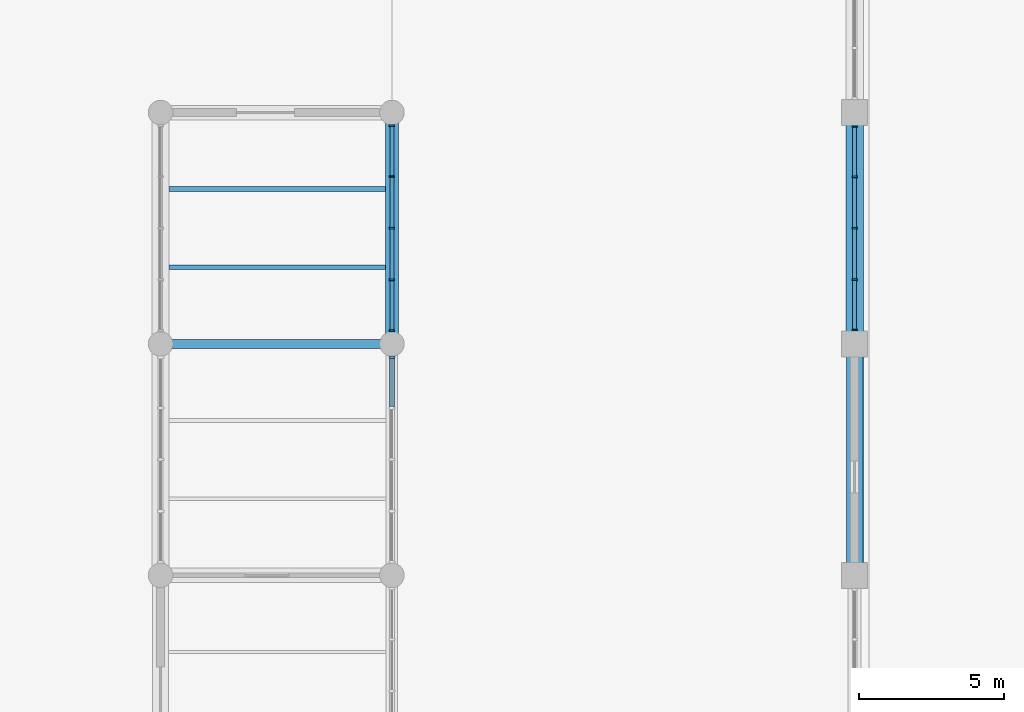
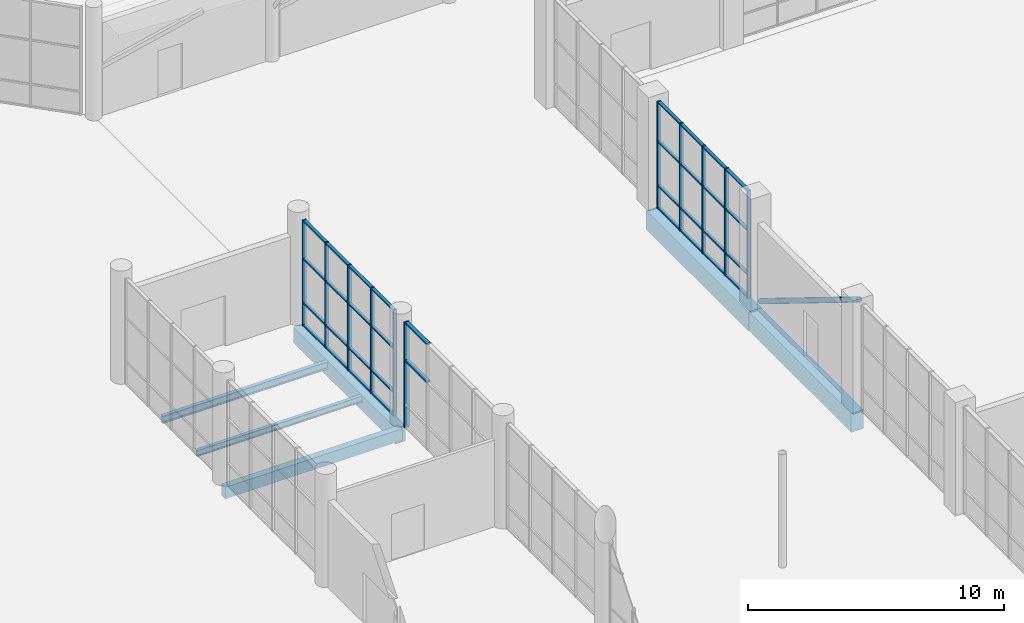
# One storey, part 33 of 123: 46 members, 6 beams, 3 elements without a shape of their own.
"""IFC4 building model written with IfcOpenShell, lengths in metres."""

from ifc_helpers import new_model, si_unit, direction, frame, origin, origin_2d, place, context, subcontext, project, spatial, rectangle, hollow_circle, i_section, extrude, material, material_profile, profile_set, type_object, element, aggregate, save


model = new_model("IFC4")

# Units and contexts
model_context = context("Model", 3, precision=1e-05, world=origin(), true_north=direction((0.0, 1.0)))
body_context = subcontext(model_context, "Body", "Model", "MODEL_VIEW")
ifc_project = project(units=[si_unit("LENGTHUNIT", "METRE"), si_unit("AREAUNIT", "SQUARE_METRE"), si_unit("VOLUMEUNIT", "CUBIC_METRE"), si_unit("PLANEANGLEUNIT", "RADIAN"), si_unit("MASSUNIT", "GRAM", prefix="KILO")], contexts=[model_context])

# Site, building, storey
site_placement = place(None, origin())
site = spatial("IfcSite", under=ifc_project, at=site_placement, CompositionType="ELEMENT")
building_placement = place(site_placement, origin())
building = spatial("IfcBuilding", under=site, at=building_placement, Name="Tenunan Teduh Sports Hall", CompositionType="ELEMENT")
storey_placement = place(building_placement, origin())
storey = spatial("IfcBuildingStorey", under=building, at=storey_placement, Name="L00", CompositionType="ELEMENT", Elevation=0.0)

# Beams
ifc_material_1 = material(Name="Concrete C40/50", Category="concrete")
ifc_material_profile_1 = material_profile(ifc_material_1, rectangle(XDim=0.300048828125, YDim=0.550048828125, at=origin_2d()), Name="RCB 300x550")
ifc_profile_set_1 = profile_set([ifc_material_profile_1], Name="Concrete C40/50")
beam_type_1 = type_object("IfcBeamType", Name="BM-RC-300x550", PredefinedType="BEAM", material=ifc_profile_set_1)
beam_1_placement = place(storey_placement, frame((98.0, 62.0, -0.554931640625), z_axis=(1.0, 0.0, 0.0), x_axis=(0.0, 1.0, 0.0)))
element("IfcBeam", 1, at=beam_1_placement, inside=storey, type_object=beam_type_1, Name="BM-B-02-L00-0669", PredefinedType="BEAM", context=body_context, shape_type="SweptSolid", body=[
    extrude(rectangle(XDim=0.300048828125, YDim=0.550048828125, at=origin_2d()), origin(), (0.0, 0.0, 1.0), 8.0),
])
ifc_material_2 = material(Name="Concrete C40/50", Category="concrete")
ifc_material_profile_2 = material_profile(ifc_material_2, rectangle(XDim=0.449951171875, YDim=0.75, at=origin_2d()), Name="RCB 450x750")
ifc_profile_set_2 = profile_set([ifc_material_profile_2], Name="Concrete C40/50")
beam_type_2 = type_object("IfcBeamType", Name="BM-RC-450x750", PredefinedType="BEAM", material=ifc_profile_set_2)
beam_2_placement = place(storey_placement, frame((106.0, 62.0, -0.655029296875), z_axis=(0.0, 1.0, 0.0), x_axis=(-1.0, 0.0, 0.0)))
element("IfcBeam", 2, at=beam_2_placement, inside=storey, type_object=beam_type_2, Name="BM-B-11-L00-0837", PredefinedType="BEAM", context=body_context, shape_type="SweptSolid", body=[
    extrude(rectangle(XDim=0.449951171875, YDim=0.75, at=origin_2d()), origin(), (0.0, 0.0, 1.0), 8.0),
])
ifc_material_3 = material(Name="Concrete C40/50", Category="concrete")
ifc_material_profile_3 = material_profile(ifc_material_3, rectangle(XDim=0.550048828125, YDim=0.89990234375, at=origin_2d()), Name="RCB 550x900")
ifc_profile_set_3 = profile_set([ifc_material_profile_3], Name="Concrete C40/50")
beam_type_3 = type_object("IfcBeamType", Name="BM-RC-550x900", PredefinedType="BEAM", material=ifc_profile_set_3)
beam_3_placement = place(storey_placement, frame((122.0, 54.0, -0.75), z_axis=(0.0, 1.0, 0.0), x_axis=(-1.0, 0.0, 0.0)))
element("IfcBeam", 3, at=beam_3_placement, inside=storey, type_object=beam_type_3, Name="BM-B-16-L00-0851", PredefinedType="BEAM", context=body_context, shape_type="SweptSolid", body=[
    extrude(rectangle(XDim=0.550048828125, YDim=0.89990234375, at=origin_2d()), origin(), (0.0, 0.0, 1.0), 8.0),
])
ifc_material_4 = material(Name="Concrete C40/50", Category="concrete")
ifc_material_profile_4 = material_profile(ifc_material_4, rectangle(XDim=0.60009765625, YDim=0.89990234375, at=origin_2d()), Name="RCB 600x900")
ifc_profile_set_4 = profile_set([ifc_material_profile_4], Name="Concrete C40/50")
beam_type_4 = type_object("IfcBeamType", Name="BM-RC-600x900", PredefinedType="BEAM", material=ifc_profile_set_4)
beam_4_placement = place(storey_placement, frame((122.0, 62.0, -0.75), z_axis=(0.0, 1.0, 0.0), x_axis=(-1.0, 0.0, 0.0)))
element("IfcBeam", 4, at=beam_4_placement, inside=storey, type_object=beam_type_4, Name="BM-B-17-L00-0852", PredefinedType="BEAM", context=body_context, shape_type="SweptSolid", body=[
    extrude(rectangle(XDim=0.60009765625, YDim=0.89990234375, at=origin_2d()), origin(), (0.0, 0.0, 1.0), 8.0),
])

# Curtain wall, members
ifc_material_5 = material(Name="Anodised aluminium", Category="aluminium")
curtain_wall_type = type_object("IfcCurtainWallType", Name="CW-UNIT-1", PredefinedType="NOTDEFINED", material=ifc_material_5)
curtain_wall_1_placement = place(storey_placement, origin())
curtain_wall_1 = element("IfcCurtainWall", 5, at=curtain_wall_1_placement, inside=storey, type_object=curtain_wall_type, Name="CW-CWM-175-L00-114", PredefinedType="NOTDEFINED")
ifc_material_6 = material(Name="Anodised aluminium", Category="aluminium")
ifc_material_profile_5 = material_profile(ifc_material_6, rectangle(XDim=0.06494140625, YDim=0.175048828125, at=origin_2d()), Name="CWM 65x175")
ifc_profile_set_5 = profile_set([ifc_material_profile_5], Name="Anodised aluminium")
member_type_1 = type_object("IfcMemberType", Name="CWM-175", PredefinedType="MULLION", material=ifc_profile_set_5)
member_1_placement = place(storey_placement, frame((122.0, 62.482421875, 0.0), z_axis=(0.0, 0.0, 1.0), x_axis=(0.0, 1.0, 0.0)))
member_1 = element("IfcMember", 6, at=member_1_placement, type_object=member_type_1, Name="CW-01 mullion 1", PredefinedType="MULLION", context=body_context, shape_type="SweptSolid", body=[
    extrude(rectangle(XDim=0.06494140625, YDim=0.175048828125, at=origin_2d()), origin(), (0.0, 0.0, 1.0), 5.1201171875),
])
member_2_placement = place(storey_placement, frame((122.0, 64.22509765625, 0.0), z_axis=(0.0, 0.0, 1.0), x_axis=(0.0, 1.0, 0.0)))
member_2 = element("IfcMember", 7, at=member_2_placement, type_object=member_type_1, Name="CW-01 mullion 2", PredefinedType="MULLION", context=body_context, shape_type="SweptSolid", body=[
    extrude(rectangle(XDim=0.06494140625, YDim=0.175048828125, at=origin_2d()), origin(), (0.0, 0.0, 1.0), 5.1201171875),
])
member_3_placement = place(storey_placement, frame((122.0, 66.0, 0.0), z_axis=(0.0, 0.0, 1.0), x_axis=(0.0, 1.0, 0.0)))
member_3 = element("IfcMember", 8, at=member_3_placement, type_object=member_type_1, Name="CW-01 mullion 3", PredefinedType="MULLION", context=body_context, shape_type="SweptSolid", body=[
    extrude(rectangle(XDim=0.06494140625, YDim=0.175048828125, at=origin_2d()), origin(), (0.0, 0.0, 1.0), 5.1201171875),
])
member_4_placement = place(storey_placement, frame((122.0, 67.77490234375, 0.0), z_axis=(0.0, 0.0, 1.0), x_axis=(0.0, 1.0, 0.0)))
member_4 = element("IfcMember", 9, at=member_4_placement, type_object=member_type_1, Name="CW-01 mullion 4", PredefinedType="MULLION", context=body_context, shape_type="SweptSolid", body=[
    extrude(rectangle(XDim=0.06494140625, YDim=0.175048828125, at=origin_2d()), origin(), (0.0, 0.0, 1.0), 5.1201171875),
])
member_5_placement = place(storey_placement, frame((122.0, 69.517578125, 0.0), z_axis=(0.0, 0.0, 1.0), x_axis=(0.0, 1.0, 0.0)))
member_5 = element("IfcMember", 10, at=member_5_placement, type_object=member_type_1, Name="CW-01 mullion 5", PredefinedType="MULLION", context=body_context, shape_type="SweptSolid", body=[
    extrude(rectangle(XDim=0.06494140625, YDim=0.175048828125, at=origin_2d()), origin(), (0.0, 0.0, 1.0), 5.1201171875),
])

curtain_wall_2_placement = place(storey_placement, origin())
curtain_wall_2 = element("IfcCurtainWall", 11, at=curtain_wall_2_placement, inside=storey, type_object=curtain_wall_type, Name="CW-CWM-175-L00-162", PredefinedType="NOTDEFINED")
member_6_placement = place(storey_placement, frame((106.0, 62.45751953125, 0.0), z_axis=(0.0, 0.0, 1.0), x_axis=(0.0, 1.0, 0.0)))
member_6 = element("IfcMember", 12, at=member_6_placement, type_object=member_type_1, Name="CW-01 mullion 1", PredefinedType="MULLION", context=body_context, shape_type="SweptSolid", body=[
    extrude(rectangle(XDim=0.06494140625, YDim=0.175048828125, at=origin_2d()), origin(), (0.0, 0.0, 1.0), 5.0400390625),
])
member_7_placement = place(storey_placement, frame((106.0, 64.21240234375, 0.0), z_axis=(0.0, 0.0, 1.0), x_axis=(0.0, 1.0, 0.0)))
member_7 = element("IfcMember", 13, at=member_7_placement, type_object=member_type_1, Name="CW-01 mullion 2", PredefinedType="MULLION", context=body_context, shape_type="SweptSolid", body=[
    extrude(rectangle(XDim=0.06494140625, YDim=0.175048828125, at=origin_2d()), origin(), (0.0, 0.0, 1.0), 5.0400390625),
])
member_8_placement = place(storey_placement, frame((106.0, 66.0, 0.0), z_axis=(0.0, 0.0, 1.0), x_axis=(0.0, 1.0, 0.0)))
member_8 = element("IfcMember", 14, at=member_8_placement, type_object=member_type_1, Name="CW-01 mullion 3", PredefinedType="MULLION", context=body_context, shape_type="SweptSolid", body=[
    extrude(rectangle(XDim=0.06494140625, YDim=0.175048828125, at=origin_2d()), origin(), (0.0, 0.0, 1.0), 5.0400390625),
])
member_9_placement = place(storey_placement, frame((106.0, 67.78759765625, 0.0), z_axis=(0.0, 0.0, 1.0), x_axis=(0.0, 1.0, 0.0)))
member_9 = element("IfcMember", 15, at=member_9_placement, type_object=member_type_1, Name="CW-01 mullion 4", PredefinedType="MULLION", context=body_context, shape_type="SweptSolid", body=[
    extrude(rectangle(XDim=0.06494140625, YDim=0.175048828125, at=origin_2d()), origin(), (0.0, 0.0, 1.0), 5.0400390625),
])
member_10_placement = place(storey_placement, frame((106.0, 69.54248046875, 0.0), z_axis=(0.0, 0.0, 1.0), x_axis=(0.0, 1.0, 0.0)))
member_10 = element("IfcMember", 16, at=member_10_placement, type_object=member_type_1, Name="CW-01 mullion 5", PredefinedType="MULLION", context=body_context, shape_type="SweptSolid", body=[
    extrude(rectangle(XDim=0.06494140625, YDim=0.175048828125, at=origin_2d()), origin(), (0.0, 0.0, 1.0), 5.0400390625),
])

# Curtain wall, member
curtain_wall_3_placement = place(storey_placement, origin())
curtain_wall_3 = element("IfcCurtainWall", 17, at=curtain_wall_3_placement, inside=storey, type_object=curtain_wall_type, Name="CW-CWM-220-L00-161", PredefinedType="NOTDEFINED")
ifc_material_7 = material(Name="Anodised aluminium", Category="aluminium")
ifc_material_profile_6 = material_profile(ifc_material_7, rectangle(XDim=0.074951171875, YDim=0.219970703125, at=origin_2d()), Name="CWM 75x220")
ifc_profile_set_6 = profile_set([ifc_material_profile_6], Name="Anodised aluminium")
member_type_2 = type_object("IfcMemberType", Name="CWM-220", PredefinedType="MULLION", material=ifc_profile_set_6)
member_11_placement = place(storey_placement, frame((106.0, 61.53759765625, 0.0), z_axis=(0.0, 0.0, 1.0), x_axis=(0.0, 1.0, 0.0)))
member_11 = element("IfcMember", 18, at=member_11_placement, type_object=member_type_2, Name="CW-01 mullion 5", PredefinedType="MULLION", context=body_context, shape_type="SweptSolid", body=[
    extrude(rectangle(XDim=0.074951171875, YDim=0.219970703125, at=origin_2d()), origin(), (0.0, 0.0, 1.0), 5.0400390625),
])

# Member
ifc_material_8 = material(Name="Anodised aluminium", Category="aluminium")
ifc_material_profile_7 = material_profile(ifc_material_8, rectangle(XDim=0.06494140625, YDim=0.139892578125, at=origin_2d()), Name="CWT 65x140")
ifc_profile_set_7 = profile_set([ifc_material_profile_7], Name="Anodised aluminium")
member_type_3 = type_object("IfcMemberType", Name="CWT-150", PredefinedType="USERDEFINED", material=ifc_profile_set_7)
member_12_placement = place(storey_placement, frame((122.0, 62.514892578125, 0.032470703125), z_axis=(0.0, 1.0, 0.0), x_axis=(0.0, 0.0, 1.0)))
member_12 = element("IfcMember", 19, at=member_12_placement, type_object=member_type_3, Name="CW-01 transom 1.1", ObjectType="TRANSOM", PredefinedType="USERDEFINED", context=body_context, shape_type="SweptSolid", body=[
    extrude(rectangle(XDim=0.06494140625, YDim=0.139892578125, at=origin_2d()), origin(), (0.0, 0.0, 1.0), 1.677490234375),
])

member_13_placement = place(storey_placement, frame((122.0, 62.514892578125, 1.10009765625), z_axis=(0.0, 1.0, 0.0), x_axis=(0.0, 0.0, 1.0)))
member_13 = element("IfcMember", 20, at=member_13_placement, type_object=member_type_3, Name="CW-01 transom 1.2", ObjectType="TRANSOM", PredefinedType="USERDEFINED", context=body_context, shape_type="SweptSolid", body=[
    extrude(rectangle(XDim=0.06494140625, YDim=0.139892578125, at=origin_2d()), origin(), (0.0, 0.0, 1.0), 1.677490234375),
])

member_14_placement = place(storey_placement, frame((122.0, 62.514892578125, 3.199951171875), z_axis=(0.0, 1.0, 0.0), x_axis=(0.0, 0.0, 1.0)))
member_14 = element("IfcMember", 21, at=member_14_placement, type_object=member_type_3, Name="CW-01 transom 1.3", ObjectType="TRANSOM", PredefinedType="USERDEFINED", context=body_context, shape_type="SweptSolid", body=[
    extrude(rectangle(XDim=0.06494140625, YDim=0.139892578125, at=origin_2d()), origin(), (0.0, 0.0, 1.0), 1.677490234375),
])

member_15_placement = place(storey_placement, frame((122.0, 62.514892578125, 5.08740234375), z_axis=(0.0, 1.0, 0.0), x_axis=(0.0, 0.0, 1.0)))
member_15 = element("IfcMember", 22, at=member_15_placement, type_object=member_type_3, Name="CW-01 transom 1.4", ObjectType="TRANSOM", PredefinedType="USERDEFINED", context=body_context, shape_type="SweptSolid", body=[
    extrude(rectangle(XDim=0.06494140625, YDim=0.139892578125, at=origin_2d()), origin(), (0.0, 0.0, 1.0), 1.677490234375),
])

member_16_placement = place(storey_placement, frame((122.0, 64.257568359375, 0.032470703125), z_axis=(0.0, 1.0, 0.0), x_axis=(0.0, 0.0, 1.0)))
member_16 = element("IfcMember", 23, at=member_16_placement, type_object=member_type_3, Name="CW-01 transom 2.1", ObjectType="TRANSOM", PredefinedType="USERDEFINED", context=body_context, shape_type="SweptSolid", body=[
    extrude(rectangle(XDim=0.06494140625, YDim=0.139892578125, at=origin_2d()), origin(), (0.0, 0.0, 1.0), 1.7099609375),
])

member_17_placement = place(storey_placement, frame((122.0, 64.257568359375, 1.10009765625), z_axis=(0.0, 1.0, 0.0), x_axis=(0.0, 0.0, 1.0)))
member_17 = element("IfcMember", 24, at=member_17_placement, type_object=member_type_3, Name="CW-01 transom 2.2", ObjectType="TRANSOM", PredefinedType="USERDEFINED", context=body_context, shape_type="SweptSolid", body=[
    extrude(rectangle(XDim=0.06494140625, YDim=0.139892578125, at=origin_2d()), origin(), (0.0, 0.0, 1.0), 1.7099609375),
])

member_18_placement = place(storey_placement, frame((122.0, 64.257568359375, 3.199951171875), z_axis=(0.0, 1.0, 0.0), x_axis=(0.0, 0.0, 1.0)))
member_18 = element("IfcMember", 25, at=member_18_placement, type_object=member_type_3, Name="CW-01 transom 2.3", ObjectType="TRANSOM", PredefinedType="USERDEFINED", context=body_context, shape_type="SweptSolid", body=[
    extrude(rectangle(XDim=0.06494140625, YDim=0.139892578125, at=origin_2d()), origin(), (0.0, 0.0, 1.0), 1.7099609375),
])

member_19_placement = place(storey_placement, frame((122.0, 64.257568359375, 5.08740234375), z_axis=(0.0, 1.0, 0.0), x_axis=(0.0, 0.0, 1.0)))
member_19 = element("IfcMember", 26, at=member_19_placement, type_object=member_type_3, Name="CW-01 transom 2.4", ObjectType="TRANSOM", PredefinedType="USERDEFINED", context=body_context, shape_type="SweptSolid", body=[
    extrude(rectangle(XDim=0.06494140625, YDim=0.139892578125, at=origin_2d()), origin(), (0.0, 0.0, 1.0), 1.7099609375),
])

member_20_placement = place(storey_placement, frame((122.0, 66.032470703125, 0.032470703125), z_axis=(0.0, 1.0, 0.0), x_axis=(0.0, 0.0, 1.0)))
member_20 = element("IfcMember", 27, at=member_20_placement, type_object=member_type_3, Name="CW-01 transom 3.1", ObjectType="TRANSOM", PredefinedType="USERDEFINED", context=body_context, shape_type="SweptSolid", body=[
    extrude(rectangle(XDim=0.06494140625, YDim=0.139892578125, at=origin_2d()), origin(), (0.0, 0.0, 1.0), 1.7099609375),
])

member_21_placement = place(storey_placement, frame((122.0, 66.032470703125, 1.10009765625), z_axis=(0.0, 1.0, 0.0), x_axis=(0.0, 0.0, 1.0)))
member_21 = element("IfcMember", 28, at=member_21_placement, type_object=member_type_3, Name="CW-01 transom 3.2", ObjectType="TRANSOM", PredefinedType="USERDEFINED", context=body_context, shape_type="SweptSolid", body=[
    extrude(rectangle(XDim=0.06494140625, YDim=0.139892578125, at=origin_2d()), origin(), (0.0, 0.0, 1.0), 1.7099609375),
])

member_22_placement = place(storey_placement, frame((122.0, 66.032470703125, 3.199951171875), z_axis=(0.0, 1.0, 0.0), x_axis=(0.0, 0.0, 1.0)))
member_22 = element("IfcMember", 29, at=member_22_placement, type_object=member_type_3, Name="CW-01 transom 3.3", ObjectType="TRANSOM", PredefinedType="USERDEFINED", context=body_context, shape_type="SweptSolid", body=[
    extrude(rectangle(XDim=0.06494140625, YDim=0.139892578125, at=origin_2d()), origin(), (0.0, 0.0, 1.0), 1.7099609375),
])

member_23_placement = place(storey_placement, frame((122.0, 66.032470703125, 5.08740234375), z_axis=(0.0, 1.0, 0.0), x_axis=(0.0, 0.0, 1.0)))
member_23 = element("IfcMember", 30, at=member_23_placement, type_object=member_type_3, Name="CW-01 transom 3.4", ObjectType="TRANSOM", PredefinedType="USERDEFINED", context=body_context, shape_type="SweptSolid", body=[
    extrude(rectangle(XDim=0.06494140625, YDim=0.139892578125, at=origin_2d()), origin(), (0.0, 0.0, 1.0), 1.7099609375),
])

member_24_placement = place(storey_placement, frame((122.0, 67.8076171875, 0.032470703125), z_axis=(0.0, 1.0, 0.0), x_axis=(0.0, 0.0, 1.0)))
member_24 = element("IfcMember", 31, at=member_24_placement, type_object=member_type_3, Name="CW-01 transom 4.1", ObjectType="TRANSOM", PredefinedType="USERDEFINED", context=body_context, shape_type="SweptSolid", body=[
    extrude(rectangle(XDim=0.06494140625, YDim=0.139892578125, at=origin_2d()), origin(), (0.0, 0.0, 1.0), 1.677490234375),
])

member_25_placement = place(storey_placement, frame((122.0, 67.8076171875, 1.10009765625), z_axis=(0.0, 1.0, 0.0), x_axis=(0.0, 0.0, 1.0)))
member_25 = element("IfcMember", 32, at=member_25_placement, type_object=member_type_3, Name="CW-01 transom 4.2", ObjectType="TRANSOM", PredefinedType="USERDEFINED", context=body_context, shape_type="SweptSolid", body=[
    extrude(rectangle(XDim=0.06494140625, YDim=0.139892578125, at=origin_2d()), origin(), (0.0, 0.0, 1.0), 1.677490234375),
])

member_26_placement = place(storey_placement, frame((122.0, 67.8076171875, 3.199951171875), z_axis=(0.0, 1.0, 0.0), x_axis=(0.0, 0.0, 1.0)))
member_26 = element("IfcMember", 33, at=member_26_placement, type_object=member_type_3, Name="CW-01 transom 4.3", ObjectType="TRANSOM", PredefinedType="USERDEFINED", context=body_context, shape_type="SweptSolid", body=[
    extrude(rectangle(XDim=0.06494140625, YDim=0.139892578125, at=origin_2d()), origin(), (0.0, 0.0, 1.0), 1.677490234375),
])

member_27_placement = place(storey_placement, frame((122.0, 67.8076171875, 5.08740234375), z_axis=(0.0, 1.0, 0.0), x_axis=(0.0, 0.0, 1.0)))
member_27 = element("IfcMember", 34, at=member_27_placement, type_object=member_type_3, Name="CW-01 transom 4.4", ObjectType="TRANSOM", PredefinedType="USERDEFINED", context=body_context, shape_type="SweptSolid", body=[
    extrude(rectangle(XDim=0.06494140625, YDim=0.139892578125, at=origin_2d()), origin(), (0.0, 0.0, 1.0), 1.677490234375),
])

aggregate(curtain_wall_1, [member_1, member_2, member_3, member_4, member_5, member_12, member_13, member_14, member_15, member_16, member_17, member_18, member_19, member_20, member_21, member_22, member_23, member_24, member_25, member_26, member_27])

member_28_placement = place(storey_placement, frame((106.0, 62.489990234375, 0.032470703125), z_axis=(0.0, 1.0, 0.0), x_axis=(0.0, 0.0, 1.0)))
member_28 = element("IfcMember", 35, at=member_28_placement, type_object=member_type_3, Name="CW-01 transom 1.1", ObjectType="TRANSOM", PredefinedType="USERDEFINED", context=body_context, shape_type="SweptSolid", body=[
    extrude(rectangle(XDim=0.06494140625, YDim=0.139892578125, at=origin_2d()), origin(), (0.0, 0.0, 1.0), 1.68994140625),
])

member_29_placement = place(storey_placement, frame((106.0, 62.489990234375, 1.10009765625), z_axis=(0.0, 1.0, 0.0), x_axis=(0.0, 0.0, 1.0)))
member_29 = element("IfcMember", 36, at=member_29_placement, type_object=member_type_3, Name="CW-01 transom 1.2", ObjectType="TRANSOM", PredefinedType="USERDEFINED", context=body_context, shape_type="SweptSolid", body=[
    extrude(rectangle(XDim=0.06494140625, YDim=0.139892578125, at=origin_2d()), origin(), (0.0, 0.0, 1.0), 1.68994140625),
])

member_30_placement = place(storey_placement, frame((106.0, 62.489990234375, 3.199951171875), z_axis=(0.0, 1.0, 0.0), x_axis=(0.0, 0.0, 1.0)))
member_30 = element("IfcMember", 37, at=member_30_placement, type_object=member_type_3, Name="CW-01 transom 1.3", ObjectType="TRANSOM", PredefinedType="USERDEFINED", context=body_context, shape_type="SweptSolid", body=[
    extrude(rectangle(XDim=0.06494140625, YDim=0.139892578125, at=origin_2d()), origin(), (0.0, 0.0, 1.0), 1.68994140625),
])

member_31_placement = place(storey_placement, frame((106.0, 62.489990234375, 5.007568359375), z_axis=(0.0, 1.0, 0.0), x_axis=(0.0, 0.0, 1.0)))
member_31 = element("IfcMember", 38, at=member_31_placement, type_object=member_type_3, Name="CW-01 transom 1.4", ObjectType="TRANSOM", PredefinedType="USERDEFINED", context=body_context, shape_type="SweptSolid", body=[
    extrude(rectangle(XDim=0.06494140625, YDim=0.139892578125, at=origin_2d()), origin(), (0.0, 0.0, 1.0), 1.68994140625),
])

member_32_placement = place(storey_placement, frame((106.0, 64.2451171875, 0.032470703125), z_axis=(0.0, 1.0, 0.0), x_axis=(0.0, 0.0, 1.0)))
member_32 = element("IfcMember", 39, at=member_32_placement, type_object=member_type_3, Name="CW-01 transom 2.1", ObjectType="TRANSOM", PredefinedType="USERDEFINED", context=body_context, shape_type="SweptSolid", body=[
    extrude(rectangle(XDim=0.06494140625, YDim=0.139892578125, at=origin_2d()), origin(), (0.0, 0.0, 1.0), 1.722412109375),
])

member_33_placement = place(storey_placement, frame((106.0, 64.2451171875, 1.10009765625), z_axis=(0.0, 1.0, 0.0), x_axis=(0.0, 0.0, 1.0)))
member_33 = element("IfcMember", 40, at=member_33_placement, type_object=member_type_3, Name="CW-01 transom 2.2", ObjectType="TRANSOM", PredefinedType="USERDEFINED", context=body_context, shape_type="SweptSolid", body=[
    extrude(rectangle(XDim=0.06494140625, YDim=0.139892578125, at=origin_2d()), origin(), (0.0, 0.0, 1.0), 1.722412109375),
])

member_34_placement = place(storey_placement, frame((106.0, 64.2451171875, 3.199951171875), z_axis=(0.0, 1.0, 0.0), x_axis=(0.0, 0.0, 1.0)))
member_34 = element("IfcMember", 41, at=member_34_placement, type_object=member_type_3, Name="CW-01 transom 2.3", ObjectType="TRANSOM", PredefinedType="USERDEFINED", context=body_context, shape_type="SweptSolid", body=[
    extrude(rectangle(XDim=0.06494140625, YDim=0.139892578125, at=origin_2d()), origin(), (0.0, 0.0, 1.0), 1.722412109375),
])

member_35_placement = place(storey_placement, frame((106.0, 64.2451171875, 5.007568359375), z_axis=(0.0, 1.0, 0.0), x_axis=(0.0, 0.0, 1.0)))
member_35 = element("IfcMember", 42, at=member_35_placement, type_object=member_type_3, Name="CW-01 transom 2.4", ObjectType="TRANSOM", PredefinedType="USERDEFINED", context=body_context, shape_type="SweptSolid", body=[
    extrude(rectangle(XDim=0.06494140625, YDim=0.139892578125, at=origin_2d()), origin(), (0.0, 0.0, 1.0), 1.722412109375),
])

member_36_placement = place(storey_placement, frame((106.0, 66.032470703125, 0.032470703125), z_axis=(0.0, 1.0, 0.0), x_axis=(0.0, 0.0, 1.0)))
member_36 = element("IfcMember", 43, at=member_36_placement, type_object=member_type_3, Name="CW-01 transom 3.1", ObjectType="TRANSOM", PredefinedType="USERDEFINED", context=body_context, shape_type="SweptSolid", body=[
    extrude(rectangle(XDim=0.06494140625, YDim=0.139892578125, at=origin_2d()), origin(), (0.0, 0.0, 1.0), 1.722412109375),
])

member_37_placement = place(storey_placement, frame((106.0, 66.032470703125, 1.10009765625), z_axis=(0.0, 1.0, 0.0), x_axis=(0.0, 0.0, 1.0)))
member_37 = element("IfcMember", 44, at=member_37_placement, type_object=member_type_3, Name="CW-01 transom 3.2", ObjectType="TRANSOM", PredefinedType="USERDEFINED", context=body_context, shape_type="SweptSolid", body=[
    extrude(rectangle(XDim=0.06494140625, YDim=0.139892578125, at=origin_2d()), origin(), (0.0, 0.0, 1.0), 1.722412109375),
])

member_38_placement = place(storey_placement, frame((106.0, 66.032470703125, 3.199951171875), z_axis=(0.0, 1.0, 0.0), x_axis=(0.0, 0.0, 1.0)))
member_38 = element("IfcMember", 45, at=member_38_placement, type_object=member_type_3, Name="CW-01 transom 3.3", ObjectType="TRANSOM", PredefinedType="USERDEFINED", context=body_context, shape_type="SweptSolid", body=[
    extrude(rectangle(XDim=0.06494140625, YDim=0.139892578125, at=origin_2d()), origin(), (0.0, 0.0, 1.0), 1.722412109375),
])

member_39_placement = place(storey_placement, frame((106.0, 66.032470703125, 5.007568359375), z_axis=(0.0, 1.0, 0.0), x_axis=(0.0, 0.0, 1.0)))
member_39 = element("IfcMember", 46, at=member_39_placement, type_object=member_type_3, Name="CW-01 transom 3.4", ObjectType="TRANSOM", PredefinedType="USERDEFINED", context=body_context, shape_type="SweptSolid", body=[
    extrude(rectangle(XDim=0.06494140625, YDim=0.139892578125, at=origin_2d()), origin(), (0.0, 0.0, 1.0), 1.722412109375),
])

member_40_placement = place(storey_placement, frame((106.0, 67.820068359375, 0.032470703125), z_axis=(0.0, 1.0, 0.0), x_axis=(0.0, 0.0, 1.0)))
member_40 = element("IfcMember", 47, at=member_40_placement, type_object=member_type_3, Name="CW-01 transom 4.1", ObjectType="TRANSOM", PredefinedType="USERDEFINED", context=body_context, shape_type="SweptSolid", body=[
    extrude(rectangle(XDim=0.06494140625, YDim=0.139892578125, at=origin_2d()), origin(), (0.0, 0.0, 1.0), 1.68994140625),
])

member_41_placement = place(storey_placement, frame((106.0, 67.820068359375, 1.10009765625), z_axis=(0.0, 1.0, 0.0), x_axis=(0.0, 0.0, 1.0)))
member_41 = element("IfcMember", 48, at=member_41_placement, type_object=member_type_3, Name="CW-01 transom 4.2", ObjectType="TRANSOM", PredefinedType="USERDEFINED", context=body_context, shape_type="SweptSolid", body=[
    extrude(rectangle(XDim=0.06494140625, YDim=0.139892578125, at=origin_2d()), origin(), (0.0, 0.0, 1.0), 1.68994140625),
])

member_42_placement = place(storey_placement, frame((106.0, 67.820068359375, 3.199951171875), z_axis=(0.0, 1.0, 0.0), x_axis=(0.0, 0.0, 1.0)))
member_42 = element("IfcMember", 49, at=member_42_placement, type_object=member_type_3, Name="CW-01 transom 4.3", ObjectType="TRANSOM", PredefinedType="USERDEFINED", context=body_context, shape_type="SweptSolid", body=[
    extrude(rectangle(XDim=0.06494140625, YDim=0.139892578125, at=origin_2d()), origin(), (0.0, 0.0, 1.0), 1.68994140625),
])

member_43_placement = place(storey_placement, frame((106.0, 67.820068359375, 5.007568359375), z_axis=(0.0, 1.0, 0.0), x_axis=(0.0, 0.0, 1.0)))
member_43 = element("IfcMember", 50, at=member_43_placement, type_object=member_type_3, Name="CW-01 transom 4.4", ObjectType="TRANSOM", PredefinedType="USERDEFINED", context=body_context, shape_type="SweptSolid", body=[
    extrude(rectangle(XDim=0.06494140625, YDim=0.139892578125, at=origin_2d()), origin(), (0.0, 0.0, 1.0), 1.68994140625),
])

aggregate(curtain_wall_2, [member_6, member_7, member_8, member_9, member_10, member_28, member_29, member_30, member_31, member_32, member_33, member_34, member_35, member_36, member_37, member_38, member_39, member_40, member_41, member_42, member_43])

ifc_material_9 = material(Name="Anodised aluminium", Category="aluminium")
ifc_material_profile_8 = material_profile(ifc_material_9, rectangle(XDim=0.074951171875, YDim=0.179931640625, at=origin_2d()), Name="CWT 75x180")
ifc_profile_set_8 = profile_set([ifc_material_profile_8], Name="Anodised aluminium")
member_type_4 = type_object("IfcMemberType", Name="CWT-180", PredefinedType="USERDEFINED", material=ifc_profile_set_8)
member_44_placement = place(storey_placement, frame((106.0, 59.824951171875, 3.199951171875), z_axis=(0.0, 1.0, 0.0), x_axis=(0.0, 0.0, 1.0)))
member_44 = element("IfcMember", 51, at=member_44_placement, type_object=member_type_4, Name="CW-01 transom 4.3", ObjectType="TRANSOM", PredefinedType="USERDEFINED", context=body_context, shape_type="SweptSolid", body=[
    extrude(rectangle(XDim=0.074951171875, YDim=0.179931640625, at=origin_2d()), origin(), (0.0, 0.0, 1.0), 1.675048828125),
])

member_45_placement = place(storey_placement, frame((106.0, 59.824951171875, 5.00244140625), z_axis=(0.0, 1.0, 0.0), x_axis=(0.0, 0.0, 1.0)))
member_45 = element("IfcMember", 52, at=member_45_placement, type_object=member_type_4, Name="CW-01 transom 4.4", ObjectType="TRANSOM", PredefinedType="USERDEFINED", context=body_context, shape_type="SweptSolid", body=[
    extrude(rectangle(XDim=0.074951171875, YDim=0.179931640625, at=origin_2d()), origin(), (0.0, 0.0, 1.0), 1.675048828125),
])

aggregate(curtain_wall_3, [member_11, member_44, member_45])

# Beams
ifc_material_10 = material(Name="Steel S355", Category="steel")
ifc_material_profile_9 = material_profile(ifc_material_10, i_section(OverallWidth=0.14990234375, OverallDepth=0.300048828125, WebThickness=0.007080078125, FlangeThickness=0.0107421875, FilletRadius=0.014892578125, at=origin_2d()), Name="IPE 300")
ifc_profile_set_9 = profile_set([ifc_material_profile_9], Name="Steel S355")
beam_type_5 = type_object("IfcBeamType", Name="JST-IPE300", PredefinedType="JOIST", material=ifc_profile_set_9)
beam_5_placement = place(storey_placement, frame((98.300048828125, 64.64990234375, -0.429931640625), z_axis=(1.0, 0.0, 0.0), x_axis=(0.0, 1.0, 0.0)))
element("IfcBeam", 53, at=beam_5_placement, inside=storey, type_object=beam_type_5, Name="BM-J-04-L00-0982", PredefinedType="JOIST", context=body_context, shape_type="SweptSolid", body=[
    extrude(i_section(OverallWidth=0.14990234375, OverallDepth=0.300048828125, WebThickness=0.007080078125, FlangeThickness=0.0107421875, FilletRadius=0.014892578125, at=origin_2d()), origin(), (0.0, 0.0, 1.0), 7.474853515625),
])
ifc_material_11 = material(Name="Steel S355", Category="steel")
ifc_material_profile_10 = material_profile(ifc_material_11, i_section(OverallWidth=0.169921875, OverallDepth=0.360107421875, WebThickness=0.008056640625, FlangeThickness=0.0126953125, FilletRadius=0.01806640625, at=origin_2d()), Name="IPE 360")
ifc_profile_set_10 = profile_set([ifc_material_profile_10], Name="Steel S355")
beam_type_6 = type_object("IfcBeamType", Name="JST-IPE360", PredefinedType="JOIST", material=ifc_profile_set_10)
beam_6_placement = place(storey_placement, frame((98.300048828125, 67.35009765625, -0.4599609375), z_axis=(1.0, 0.0, 0.0), x_axis=(0.0, 1.0, 0.0)))
element("IfcBeam", 54, at=beam_6_placement, inside=storey, type_object=beam_type_6, Name="BM-J-05-L00-0983", PredefinedType="JOIST", context=body_context, shape_type="SweptSolid", body=[
    extrude(i_section(OverallWidth=0.169921875, OverallDepth=0.360107421875, WebThickness=0.008056640625, FlangeThickness=0.0126953125, FilletRadius=0.01806640625, at=origin_2d()), origin(), (0.0, 0.0, 1.0), 7.474853515625),
])

# Member
ifc_material_12 = material(Name="Steel S355", Category="steel")
ifc_material_profile_11 = material_profile(ifc_material_12, hollow_circle(Radius=0.122314453125, WallThickness=0.010009765625, at=origin_2d()), Name="CHS 244.5x10.0")
ifc_profile_set_11 = profile_set([ifc_material_profile_11], Name="Steel S355")
member_type_5 = type_object("IfcMemberType", Name="MEM-BR-CHS245", PredefinedType="BRACE", material=ifc_profile_set_11)
member_46_placement = place(storey_placement, frame((122.179931640625, 61.85009765625, 0.14990234375), z_axis=(0.0, -0.851094506608, 0.525012514919), x_axis=(1.0, 0.0, 0.0)))
element("IfcMember", 55, at=member_46_placement, inside=storey, type_object=member_type_5, Name="MEM-GD-01-L00-1460", PredefinedType="BRACE", context=body_context, shape_type="SweptSolid", body=[
    extrude(hollow_circle(Radius=0.122314453125, WallThickness=0.010009765625, at=origin_2d()), origin(), (0.0, 0.0, 1.0), 9.04736328125),
])

save(model, "model.ifc")
